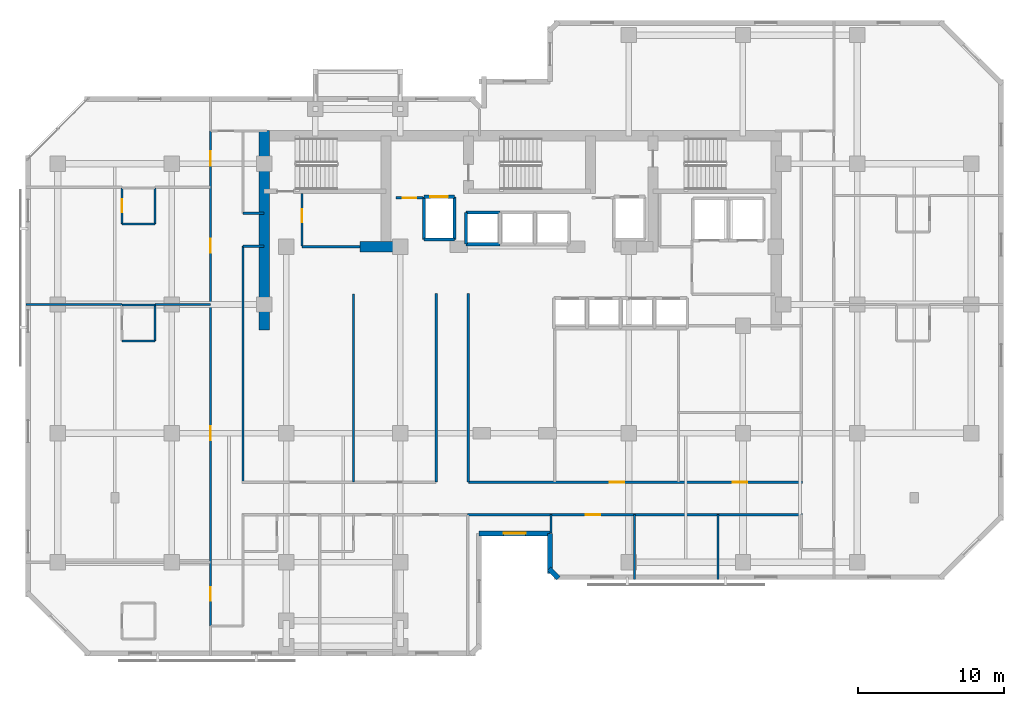
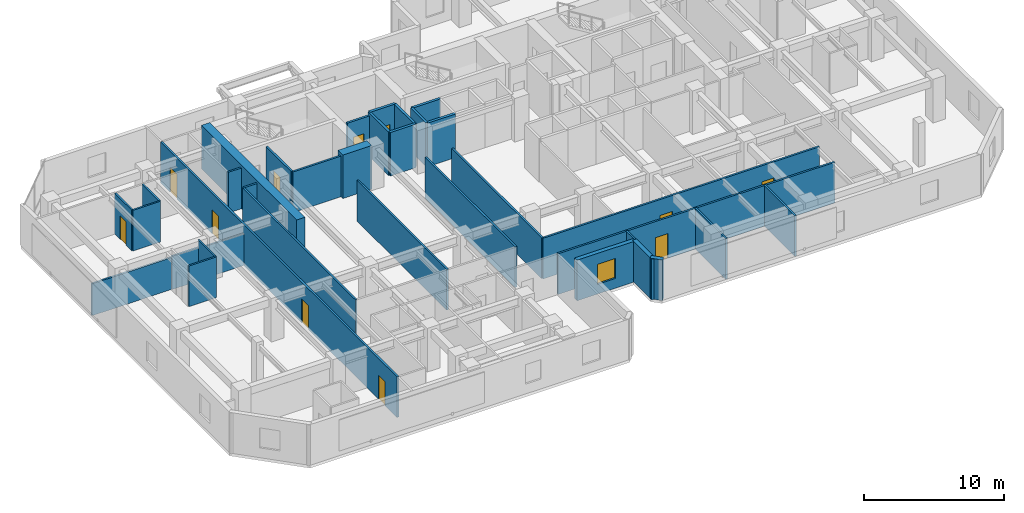
# One storey, part 5 of 10: 35 walls, 11 doors, 1 window, 12 openings.
"""IFC4 building model written with IfcOpenShell, lengths in metres."""

from ifc_helpers import new_model, si_unit, direction, frame, frame_2d, origin, place, context, subcontext, project, spatial, rectangle, extrude, material, layer, layer_set, type_object, element, fill, save


model = new_model("IFC4")

# Units and contexts
model_context = context("Model", 3, precision=1e-05, world=origin(), true_north=direction((0.0, 1.0)))
body_context = subcontext(model_context, "Body", "Model", "MODEL_VIEW")
ifc_project = project(units=[si_unit("LENGTHUNIT", "METRE"), si_unit("AREAUNIT", "SQUARE_METRE"), si_unit("VOLUMEUNIT", "CUBIC_METRE"), si_unit("PLANEANGLEUNIT", "RADIAN"), si_unit("MASSUNIT", "GRAM", prefix="KILO")], contexts=[model_context])

# Site, building, storey
site_placement = place(None, origin())
site = spatial("IfcSite", under=ifc_project, at=site_placement, CompositionType="ELEMENT")
building_placement = place(site_placement, origin())
building = spatial("IfcBuilding", under=site, at=building_placement, Name="Kestravale Grand Hotel", CompositionType="ELEMENT")
storey_placement = place(building_placement, frame((0.0, 0.0, 142.199951171875)))
storey = spatial("IfcBuildingStorey", under=building, at=storey_placement, Name="L35", CompositionType="ELEMENT", Elevation=142.199951171875)

# Walls
ifc_material_1 = material(Name="Concrete f'c 60 MPa", Category="concrete")
ifc_layer_1 = layer(ifc_material_1, 0.699951171875)
ifc_layer_set_1 = layer_set([ifc_layer_1], Name="EW-CORE-700")
wall_type_1 = type_object("IfcWallType", Name="EW-CORE-700", PredefinedType="SHEAR", material=ifc_layer_set_1)
wall_1_placement = place(storey_placement, frame((21.89990234375, 27.050048828125, 0.0), z_axis=(0.0, 0.0, 1.0), x_axis=(0.0, 1.0, 0.0)))
element("IfcWall", 1, at=wall_1_placement, inside=storey, type_object=wall_type_1, Name="L35 core shear wall W1", PredefinedType="SHEAR", context=body_context, shape_type="SweptSolid", body=[
    extrude(rectangle(XDim=13.619873046875, YDim=0.699951171875, at=frame_2d((6.81005859375, 0.0))), origin(), (0.0, 0.0, 1.0), 3.800048828125),
])
wall_2_placement = place(storey_placement, frame((28.449951171875, 32.75, 0.0), z_axis=(0.0, 0.0, 1.0), x_axis=(1.0, 0.0, 0.0)))
element("IfcWall", 2, at=wall_2_placement, inside=storey, type_object=wall_type_1, Name="L35 core shear wall S1", PredefinedType="SHEAR", context=body_context, shape_type="SweptSolid", body=[
    extrude(rectangle(XDim=2.400146484375, YDim=0.699951171875, at=frame_2d((1.2001953125, 0.0))), origin(), (0.0, 0.0, 1.0), 3.800048828125),
])

# Wall, opening, window
ifc_material_2 = material(Name="Precast concrete f'c 45 MPa", Category="concrete")
ifc_layer_2 = layer(ifc_material_2, 0.340087890625)
ifc_layer_set_2 = layer_set([ifc_layer_2], Name="EW-PREC-340")
wall_type_2 = type_object("IfcWallType", Name="EW-PREC-340", PredefinedType="SOLIDWALL", material=ifc_layer_set_2)
wall_3_placement = place(storey_placement, frame((36.580078125, 13.169921875, 0.0), z_axis=(0.0, 0.0, 1.0), x_axis=(1.0, 0.0, 0.0)))
wall_3 = element("IfcWall", 3, at=wall_3_placement, inside=storey, type_object=wall_type_2, Name="L35 fluted precast facade wall 4", PredefinedType="SOLIDWALL", context=body_context, shape_type="SweptSolid", body=[
    extrude(rectangle(XDim=4.83984375, YDim=0.340087890625, at=frame_2d((2.419921875, 0.0))), origin(), (0.0, 0.0, 1.0), 3.550048828125),
])
opening_1_placement = place(wall_3_placement, frame((1.669921875, 0.0, 0.85009765625)))
opening_1 = element("IfcOpeningElement", 4, at=opening_1_placement, cuts=wall_3, Name="Opening W-GUEST-1500", PredefinedType="OPENING", context=body_context, shape_type="SweptSolid", body=[
    extrude(rectangle(XDim=1.5, YDim=1.75, at=frame_2d((0.75, 0.875))), frame((0.0, 0.179931640625, 0.0), z_axis=(0.0, -1.0, 0.0), x_axis=(1.0, 0.0, 0.0)), (0.0, 0.0, 1.0), 0.360107421875),
])
ifc_material_3 = material(Name="Insulated low-E double glazing in aluminium frame", Category="aluminium")
window_type = type_object("IfcWindowType", Name="W-GUEST-1500", PartitioningType="SINGLE_PANEL", PredefinedType="WINDOW", material=ifc_material_3)
window_placement = place(opening_1_placement, origin())
window = element("IfcWindow", 5, at=window_placement, inside=storey, type_object=window_type, Name="L35 exterior window 4.1", OverallHeight=1.75, OverallWidth=1.5, PartitioningType="SINGLE_PANEL", PredefinedType="WINDOW", context=body_context, shape_type="SweptSolid", body=[
    extrude(rectangle(XDim=1.5, YDim=1.75, at=frame_2d((0.75, 0.875))), frame((0.0, 0.030029296875, 0.0), z_axis=(0.0, -1.0, 0.0), x_axis=(1.0, 0.0, 0.0)), (0.0, 0.0, 1.0), 0.06005859375),
])
fill(opening_1, window)

# Walls
wall_4_placement = place(storey_placement, frame((41.419921875, 13.169921875, 0.0), z_axis=(0.0, 0.0, 1.0), x_axis=(0.0, -1.0, 0.0)))
element("IfcWall", 6, at=wall_4_placement, inside=storey, type_object=wall_type_2, Name="L35 fluted precast facade wall 5", PredefinedType="SOLIDWALL", context=body_context, shape_type="SweptSolid", body=[
    extrude(rectangle(XDim=2.739990234375, YDim=0.340087890625, at=frame_2d((1.3701171875, 0.0))), origin(), (0.0, 0.0, 1.0), 3.550048828125),
])
wall_5_placement = place(storey_placement, frame((41.341796875, 10.74853515625, 0.0), z_axis=(0.0, 0.0, 1.0), x_axis=(0.707106781187, -0.707106781187, 0.0)))
element("IfcWall", 7, at=wall_5_placement, inside=storey, type_object=wall_type_2, Name="L35 fluted precast facade wall 6", PredefinedType="SOLIDWALL", context=body_context, shape_type="SweptSolid", body=[
    extrude(rectangle(XDim=0.9287109375, YDim=0.340087890625, at=frame_2d((0.46435546875, 0.0))), origin(), (0.0, 0.0, 1.0), 3.550048828125),
])

# Wall, opening, door
ifc_material_4 = material(Name="Acoustic fire-rated gypsum board partition", Category="other")
ifc_layer_3 = layer(ifc_material_4, 0.159912109375)
ifc_layer_set_3 = layer_set([ifc_layer_3], Name="IW-CORR-160")
wall_type_3 = type_object("IfcWallType", Name="IW-CORR-160", PredefinedType="PARTITIONING", material=ifc_layer_set_3)
wall_6_placement = place(storey_placement, frame((24.47998046875, 32.800048828125, 0.0), z_axis=(0.0, 0.0, 1.0), x_axis=(0.0, 1.0, 0.0)))
wall_6 = element("IfcWall", 8, at=wall_6_placement, inside=storey, type_object=wall_type_3, Name="L35 west core vestibule wall", PredefinedType="PARTITIONING", context=body_context, shape_type="SweptSolid", body=[
    extrude(rectangle(XDim=3.570068359375, YDim=0.159912109375, at=frame_2d((1.78515625, 0.0))), origin(), (0.0, 0.0, 1.0), 3.550048828125),
])
opening_2_placement = place(wall_6_placement, frame((1.603515625, 0.0, 0.0)))
opening_2 = element("IfcOpeningElement", 9, at=opening_2_placement, cuts=wall_6, Name="Opening D-SH-900", PredefinedType="OPENING", context=body_context, shape_type="SweptSolid", body=[
    extrude(rectangle(XDim=0.89990234375, YDim=2.10009765625, at=frame_2d((0.449951171875, 1.050048828125))), frame((0.0, 0.08984375, 0.0), z_axis=(0.0, -1.0, 0.0), x_axis=(1.0, 0.0, 0.0)), (0.0, 0.0, 1.0), 0.179931640625),
])
ifc_material_5 = material(Name="Galvanised 90-minute shaft and service fire door", Category="steel")
door_type_1 = type_object("IfcDoorType", Name="D-SH-900", OperationType="NOTDEFINED", PredefinedType="DOOR", material=ifc_material_5)
door_1_placement = place(opening_2_placement, origin())
door_1 = element("IfcDoor", 10, at=door_1_placement, inside=storey, type_object=door_type_1, Name="D-L35-HK", OperationType="SINGLE_SWING_RIGHT", OverallHeight=2.10009765625, OverallWidth=0.89990234375, PredefinedType="DOOR", context=body_context, shape_type="SweptSolid", body=[
    extrude(rectangle(XDim=0.89990234375, YDim=2.10009765625, at=frame_2d((0.449951171875, 1.050048828125))), frame((0.0, 0.02490234375, 0.0), z_axis=(0.0, -1.0, 0.0), x_axis=(1.0, 0.0, 0.0)), (0.0, 0.0, 1.0), 0.050048828125),
])
fill(opening_2, door_1)

# Wall
wall_7_placement = place(storey_placement, frame((24.47998046875, 32.75, 0.0), z_axis=(0.0, 0.0, 1.0), x_axis=(1.0, 0.0, 0.0)))
element("IfcWall", 11, at=wall_7_placement, inside=storey, type_object=wall_type_3, Name="W-L35-CWS", PredefinedType="PARTITIONING", context=body_context, shape_type="SweptSolid", body=[
    extrude(rectangle(XDim=3.969970703125, YDim=0.159912109375, at=frame_2d((1.98486328125, 0.0))), origin(), (0.0, 0.0, 1.0), 3.550048828125),
])

# Wall, openings, doors
wall_8_placement = place(storey_placement, frame((35.85009765625, 16.659912109375, 0.0), z_axis=(0.0, 0.0, 1.0), x_axis=(1.0, 0.0, 0.0)))
wall_8 = element("IfcWall", 12, at=wall_8_placement, inside=storey, type_object=wall_type_3, Name="W-L35-CE-N", PredefinedType="PARTITIONING", context=body_context, shape_type="SweptSolid", body=[
    extrude(rectangle(XDim=22.7998046875, YDim=0.159912109375, at=frame_2d((11.39990234375, 0.0))), origin(), (0.0, 0.0, 1.0), 3.550048828125),
])
opening_3_placement = place(wall_8_placement, frame((9.64990234375, 0.0, 0.0)))
opening_3 = element("IfcOpeningElement", 13, at=opening_3_placement, cuts=wall_8, Name="Opening D-GUEST-1000", PredefinedType="OPENING", context=body_context, shape_type="SweptSolid", body=[
    extrude(rectangle(XDim=1.0, YDim=2.14990234375, at=frame_2d((0.5, 1.074951171875))), frame((0.0, 0.08984375, 0.0), z_axis=(0.0, -1.0, 0.0), x_axis=(1.0, 0.0, 0.0)), (0.0, 0.0, 1.0), 0.179931640625),
])
opening_4_placement = place(wall_8_placement, frame((18.050048828125, 0.0, 0.0)))
opening_4 = element("IfcOpeningElement", 14, at=opening_4_placement, cuts=wall_8, Name="Opening D-GUEST-1000", PredefinedType="OPENING", context=body_context, shape_type="SweptSolid", body=[
    extrude(rectangle(XDim=1.0, YDim=2.14990234375, at=frame_2d((0.5, 1.074951171875))), frame((0.0, 0.08984375, 0.0), z_axis=(0.0, -1.0, 0.0), x_axis=(1.0, 0.0, 0.0)), (0.0, 0.0, 1.0), 0.179931640625),
])
ifc_material_6 = material(Name="Accessible walnut veneer hotel entrance fire door", Category="wood")
door_type_2 = type_object("IfcDoorType", Name="D-GUEST-1000", OperationType="NOTDEFINED", PredefinedType="DOOR", material=ifc_material_6)
door_2_placement = place(opening_3_placement, origin())
door_2 = element("IfcDoor", 15, at=door_2_placement, inside=storey, type_object=door_type_2, Name="D-L35-RECL-E1", OperationType="SINGLE_SWING_RIGHT", OverallHeight=2.14990234375, OverallWidth=1.0, PredefinedType="DOOR", context=body_context, shape_type="SweptSolid", body=[
    extrude(rectangle(XDim=1.0, YDim=2.14990234375, at=frame_2d((0.5, 1.074951171875))), frame((0.0, 0.02490234375, 0.0), z_axis=(0.0, -1.0, 0.0), x_axis=(1.0, 0.0, 0.0)), (0.0, 0.0, 1.0), 0.050048828125),
])
fill(opening_3, door_2)
door_3_placement = place(opening_4_placement, origin())
door_3 = element("IfcDoor", 16, at=door_3_placement, inside=storey, type_object=door_type_2, Name="D-L35-RECL-E2", OperationType="SINGLE_SWING_LEFT", OverallHeight=2.14990234375, OverallWidth=1.0, PredefinedType="DOOR", context=body_context, shape_type="SweptSolid", body=[
    extrude(rectangle(XDim=1.0, YDim=2.14990234375, at=frame_2d((0.5, 1.074951171875))), frame((0.0, 0.02490234375, 0.0), z_axis=(0.0, -1.0, 0.0), x_axis=(1.0, 0.0, 0.0)), (0.0, 0.0, 1.0), 0.050048828125),
])
fill(opening_4, door_3)

# Walls
for number, where, z_axis, x_axis, name in (
    (17, (33.64990234375, 16.659912109375, 0.0), (0.0, 0.0, 1.0), (0.0, 1.0, 0.0), "W-L35-TRUNK-W"),
    (18, (35.85009765625, 16.659912109375, 0.0), (0.0, 0.0, 1.0), (0.0, 1.0, 0.0), "W-L35-TRUNK-E"),
):
    element("IfcWall", number, at=place(storey_placement, frame(where, z_axis=z_axis, x_axis=x_axis)), inside=storey, type_object=wall_type_3, Name=name, PredefinedType="PARTITIONING", context=body_context, shape_type="SweptSolid", body=[
        extrude(rectangle(XDim=12.89013671875, YDim=0.159912109375, at=frame_2d((6.445068359375, 0.0))), origin(), (0.0, 0.0, 1.0), 3.550048828125),
    ])

# Wall, opening, door
wall_9_placement = place(storey_placement, frame((35.800048828125, 14.43994140625, 0.0), z_axis=(0.0, 0.0, 1.0), x_axis=(1.0, 0.0, 0.0)))
wall_9 = element("IfcWall", 19, at=wall_9_placement, inside=storey, type_object=wall_type_3, Name="W-L35-CE-S", PredefinedType="PARTITIONING", context=body_context, shape_type="SweptSolid", body=[
    extrude(rectangle(XDim=22.849853515625, YDim=0.159912109375, at=frame_2d((11.4248046875, 0.0))), origin(), (0.0, 0.0, 1.0), 3.550048828125),
])
opening_5_placement = place(wall_9_placement, frame((8.04638671875, 0.0, 0.0)))
opening_5 = element("IfcOpeningElement", 20, at=opening_5_placement, cuts=wall_9, Name="Opening D-GUEST-1000", PredefinedType="OPENING", context=body_context, shape_type="SweptSolid", body=[
    extrude(rectangle(XDim=1.0, YDim=2.14990234375, at=frame_2d((0.5, 1.074951171875))), frame((0.0, 0.08984375, 0.0), z_axis=(0.0, -1.0, 0.0), x_axis=(1.0, 0.0, 0.0)), (0.0, 0.0, 1.0), 0.179931640625),
])
door_4_placement = place(opening_5_placement, origin())
door_4 = element("IfcDoor", 21, at=door_4_placement, inside=storey, type_object=door_type_2, Name="D-L35-AME", OperationType="SINGLE_SWING_LEFT", OverallHeight=2.14990234375, OverallWidth=1.0, PredefinedType="DOOR", context=body_context, shape_type="SweptSolid", body=[
    extrude(rectangle(XDim=1.0, YDim=2.14990234375, at=frame_2d((0.5, 1.074951171875))), frame((0.0, 0.02490234375, 0.0), z_axis=(0.0, -1.0, 0.0), x_axis=(1.0, 0.0, 0.0)), (0.0, 0.0, 1.0), 0.050048828125),
])
fill(opening_5, door_4)

# Wall, openings, doors
wall_10_placement = place(storey_placement, frame((18.239990234375, 6.85009765625, 0.0), z_axis=(0.0, 0.0, 1.0), x_axis=(0.0, 1.0, 0.0)))
wall_10 = element("IfcWall", 22, at=wall_10_placement, inside=storey, type_object=wall_type_3, Name="W-L35-SW-W", PredefinedType="PARTITIONING", context=body_context, shape_type="SweptSolid", body=[
    extrude(rectangle(XDim=33.7998046875, YDim=0.159912109375, at=frame_2d((16.89990234375, 0.0))), origin(), (0.0, 0.0, 1.0), 3.550048828125),
])
opening_6_placement = place(wall_10_placement, frame((1.699951171875, 0.0, 0.0)))
opening_6 = element("IfcOpeningElement", 23, at=opening_6_placement, cuts=wall_10, Name="Opening D-GUEST-950", PredefinedType="OPENING", context=body_context, shape_type="SweptSolid", body=[
    extrude(rectangle(XDim=0.949951171875, YDim=2.10009765625, at=frame_2d((0.47509765625, 1.050048828125))), frame((0.0, 0.08984375, 0.0), z_axis=(0.0, -1.0, 0.0), x_axis=(1.0, 0.0, 0.0)), (0.0, 0.0, 1.0), 0.179931640625),
])
opening_7_placement = place(wall_10_placement, frame((12.675048828125, 0.0, 0.0)))
opening_7 = element("IfcOpeningElement", 24, at=opening_7_placement, cuts=wall_10, Name="Opening D-GUEST-950", PredefinedType="OPENING", context=body_context, shape_type="SweptSolid", body=[
    extrude(rectangle(XDim=0.949951171875, YDim=2.10009765625, at=frame_2d((0.47509765625, 1.050048828125))), frame((0.0, 0.08984375, 0.0), z_axis=(0.0, -1.0, 0.0), x_axis=(1.0, 0.0, 0.0)), (0.0, 0.0, 1.0), 0.179931640625),
])
opening_8_placement = place(wall_10_placement, frame((25.47509765625, 0.0, 0.0)))
opening_8 = element("IfcOpeningElement", 25, at=opening_8_placement, cuts=wall_10, Name="Opening D-GUEST-950", PredefinedType="OPENING", context=body_context, shape_type="SweptSolid", body=[
    extrude(rectangle(XDim=0.949951171875, YDim=2.10009765625, at=frame_2d((0.47509765625, 1.050048828125))), frame((0.0, 0.08984375, 0.0), z_axis=(0.0, -1.0, 0.0), x_axis=(1.0, 0.0, 0.0)), (0.0, 0.0, 1.0), 0.179931640625),
])
opening_9_placement = place(wall_10_placement, frame((31.429931640625, 0.0, 0.0)))
opening_9 = element("IfcOpeningElement", 26, at=opening_9_placement, cuts=wall_10, Name="Opening D-GUEST-1000", PredefinedType="OPENING", context=body_context, shape_type="SweptSolid", body=[
    extrude(rectangle(XDim=1.0, YDim=2.14990234375, at=frame_2d((0.5, 1.074951171875))), frame((0.0, 0.08984375, 0.0), z_axis=(0.0, -1.0, 0.0), x_axis=(1.0, 0.0, 0.0)), (0.0, 0.0, 1.0), 0.179931640625),
])
door_5_placement = place(opening_9_placement, origin())
door_5 = element("IfcDoor", 27, at=door_5_placement, inside=storey, type_object=door_type_2, Name="D-L35-AMWW", OperationType="SINGLE_SWING_RIGHT", OverallHeight=2.14990234375, OverallWidth=1.0, PredefinedType="DOOR", context=body_context, shape_type="SweptSolid", body=[
    extrude(rectangle(XDim=1.0, YDim=2.14990234375, at=frame_2d((0.5, 1.074951171875))), frame((0.0, 0.02490234375, 0.0), z_axis=(0.0, -1.0, 0.0), x_axis=(1.0, 0.0, 0.0)), (0.0, 0.0, 1.0), 0.050048828125),
])
fill(opening_9, door_5)
ifc_material_7 = material(Name="Walnut veneer hotel guestroom entrance fire door", Category="wood")
door_type_3 = type_object("IfcDoorType", Name="D-GUEST-950", OperationType="NOTDEFINED", PredefinedType="DOOR", material=ifc_material_7)
door_6_placement = place(opening_6_placement, origin())
door_6 = element("IfcDoor", 28, at=door_6_placement, inside=storey, type_object=door_type_3, Name="D-L35-U03-ENT", OperationType="SINGLE_SWING_LEFT", OverallHeight=2.10009765625, OverallWidth=0.949951171875, PredefinedType="DOOR", context=body_context, shape_type="SweptSolid", body=[
    extrude(rectangle(XDim=0.949951171875, YDim=2.10009765625, at=frame_2d((0.47509765625, 1.050048828125))), frame((0.0, 0.02490234375, 0.0), z_axis=(0.0, -1.0, 0.0), x_axis=(1.0, 0.0, 0.0)), (0.0, 0.0, 1.0), 0.050048828125),
])
fill(opening_6, door_6)
door_7_placement = place(opening_7_placement, origin())
door_7 = element("IfcDoor", 29, at=door_7_placement, inside=storey, type_object=door_type_3, Name="D-L35-U04-ENT", OperationType="SINGLE_SWING_LEFT", OverallHeight=2.10009765625, OverallWidth=0.949951171875, PredefinedType="DOOR", context=body_context, shape_type="SweptSolid", body=[
    extrude(rectangle(XDim=0.949951171875, YDim=2.10009765625, at=frame_2d((0.47509765625, 1.050048828125))), frame((0.0, 0.02490234375, 0.0), z_axis=(0.0, -1.0, 0.0), x_axis=(1.0, 0.0, 0.0)), (0.0, 0.0, 1.0), 0.050048828125),
])
fill(opening_7, door_7)
door_8_placement = place(opening_8_placement, origin())
door_8 = element("IfcDoor", 30, at=door_8_placement, inside=storey, type_object=door_type_3, Name="D-L35-U05-ENT", OperationType="SINGLE_SWING_LEFT", OverallHeight=2.10009765625, OverallWidth=0.949951171875, PredefinedType="DOOR", context=body_context, shape_type="SweptSolid", body=[
    extrude(rectangle(XDim=0.949951171875, YDim=2.10009765625, at=frame_2d((0.47509765625, 1.050048828125))), frame((0.0, 0.02490234375, 0.0), z_axis=(0.0, -1.0, 0.0), x_axis=(1.0, 0.0, 0.0)), (0.0, 0.0, 1.0), 0.050048828125),
])
fill(opening_8, door_8)

# Walls
for number, where, z_axis, x_axis, name in (
    (31, (20.4599609375, 35.02001953125, 0.0), (0.0, 0.0, 1.0), (1.0, 0.0, 0.0), "W-L35-SW-CN"),
    (32, (20.4599609375, 32.780029296875, 0.0), (0.0, 0.0, 1.0), (1.0, 0.0, 0.0), "W-L35-SW-CS"),
):
    element("IfcWall", number, at=place(storey_placement, frame(where, z_axis=z_axis, x_axis=x_axis)), inside=storey, type_object=wall_type_3, Name=name, PredefinedType="PARTITIONING", context=body_context, shape_type="SweptSolid", body=[
        extrude(rectangle(XDim=1.43994140625, YDim=0.159912109375, at=frame_2d((0.719970703125, 0.0))), origin(), (0.0, 0.0, 1.0), 3.550048828125),
    ])

# Wall, opening, door
ifc_material_8 = material(Name="Fire-rated gypsum board on steel studs with mineral wool", Category="steel")
ifc_layer_4 = layer(ifc_material_8, 0.179931640625)
ifc_layer_set_4 = layer_set([ifc_layer_4], Name="IW-FSAE-180")
wall_type_4 = type_object("IfcWallType", Name="IW-FSAE-180", PredefinedType="PARTITIONING", material=ifc_layer_set_4)
wall_11_placement = place(storey_placement, frame((30.89990234375, 36.080078125, 0.0), z_axis=(0.0, 0.0, 1.0), x_axis=(1.0, 0.0, 0.0)))
wall_11 = element("IfcWall", 33, at=wall_11_placement, inside=storey, type_object=wall_type_4, Name="L35 FSAE Lobby 1 smoke barrier", PredefinedType="PARTITIONING", context=body_context, shape_type="SweptSolid", body=[
    extrude(rectangle(XDim=1.85009765625, YDim=0.179931640625, at=frame_2d((0.925048828125, 0.0))), origin(), (0.0, 0.0, 1.0), 3.550048828125),
])
opening_10_placement = place(wall_11_placement, frame((0.47998046875, 0.0, 0.0)))
opening_10 = element("IfcOpeningElement", 34, at=opening_10_placement, cuts=wall_11, Name="Opening D-FSAE-1000", PredefinedType="OPENING", context=body_context, shape_type="SweptSolid", body=[
    extrude(rectangle(XDim=0.89990234375, YDim=2.14990234375, at=frame_2d((0.449951171875, 1.074951171875))), frame((0.0, 0.099853515625, 0.0), z_axis=(0.0, -1.0, 0.0), x_axis=(1.0, 0.0, 0.0)), (0.0, 0.0, 1.0), 0.199951171875),
])
ifc_material_9 = material(Name="Smoke-gasketed FSAE lobby fire door", Category="steel")
door_type_4 = type_object("IfcDoorType", Name="D-FSAE-1000", OperationType="NOTDEFINED", PredefinedType="DOOR", material=ifc_material_9)
door_9_placement = place(opening_10_placement, origin())
door_9 = element("IfcDoor", 35, at=door_9_placement, inside=storey, type_object=door_type_4, Name="L35 FSAE Lobby 1 fire door", OperationType="SINGLE_SWING_RIGHT", OverallHeight=2.14990234375, OverallWidth=0.89990234375, PredefinedType="DOOR", context=body_context, shape_type="SweptSolid", body=[
    extrude(rectangle(XDim=0.89990234375, YDim=2.14990234375, at=frame_2d((0.449951171875, 1.074951171875))), frame((0.0, 0.02490234375, 0.0), z_axis=(0.0, -1.0, 0.0), x_axis=(1.0, 0.0, 0.0)), (0.0, 0.0, 1.0), 0.050048828125),
])
fill(opening_10, door_9)

# Walls
ifc_material_10 = material(Name="Moisture-resistant tile-backer plumbing chase wall", Category="other")
ifc_layer_5 = layer(ifc_material_10, 0.139892578125)
ifc_layer_set_5 = layer_set([ifc_layer_5], Name="IW-PLB-140")
wall_type_5 = type_object("IfcWallType", Name="IW-PLB-140", PredefinedType="PLUMBINGWALL", material=ifc_layer_set_5)
wall_12_placement = place(storey_placement, frame((14.449951171875, 26.31005859375, 0.0), z_axis=(0.0, 0.0, 1.0), x_axis=(0.0, 1.0, 0.0)))
element("IfcWall", 36, at=wall_12_placement, inside=storey, type_object=wall_type_5, Name="W-L35-U04-BE", PredefinedType="PLUMBINGWALL", context=body_context, shape_type="SweptSolid", body=[
    extrude(rectangle(XDim=2.449951171875, YDim=0.139892578125, at=frame_2d((1.22509765625, 0.0))), origin(), (0.0, 0.0, 1.0), 3.550048828125),
])
wall_13_placement = place(storey_placement, frame((12.199951171875, 26.31005859375, 0.0), z_axis=(0.0, 0.0, 1.0), x_axis=(1.0, 0.0, 0.0)))
element("IfcWall", 37, at=wall_13_placement, inside=storey, type_object=wall_type_5, Name="W-L35-U04-BS", PredefinedType="PLUMBINGWALL", context=body_context, shape_type="SweptSolid", body=[
    extrude(rectangle(XDim=2.25, YDim=0.139892578125, at=frame_2d((1.125, 0.0))), origin(), (0.0, 0.0, 1.0), 3.550048828125),
])
wall_14_placement = place(storey_placement, frame((12.199951171875, 28.760009765625, 0.0), z_axis=(0.0, 0.0, 1.0), x_axis=(1.0, 0.0, 0.0)))
element("IfcWall", 38, at=wall_14_placement, inside=storey, type_object=wall_type_5, Name="W-L35-U04-BN", PredefinedType="PLUMBINGWALL", context=body_context, shape_type="SweptSolid", body=[
    extrude(rectangle(XDim=2.25, YDim=0.139892578125, at=frame_2d((1.125, 0.0))), origin(), (0.0, 0.0, 1.0), 2.900146484375),
])

# Wall, opening, door
wall_15_placement = place(storey_placement, frame((12.199951171875, 34.31005859375, 0.0), z_axis=(0.0, 0.0, 1.0), x_axis=(0.0, 1.0, 0.0)))
wall_15 = element("IfcWall", 39, at=wall_15_placement, inside=storey, type_object=wall_type_5, Name="W-L35-U05-BW", PredefinedType="PLUMBINGWALL", context=body_context, shape_type="SweptSolid", body=[
    extrude(rectangle(XDim=2.449951171875, YDim=0.139892578125, at=frame_2d((1.22509765625, 0.0))), origin(), (0.0, 0.0, 1.0), 3.550048828125),
])
opening_11_placement = place(wall_15_placement, frame((0.784912109375, 0.0, 0.0)))
opening_11 = element("IfcOpeningElement", 40, at=opening_11_placement, cuts=wall_15, Name="Opening D-BATH-880", PredefinedType="OPENING", context=body_context, shape_type="SweptSolid", body=[
    extrude(rectangle(XDim=0.8798828125, YDim=2.050048828125, at=frame_2d((0.43994140625, 1.02490234375))), frame((0.0, 0.079833984375, 0.0), z_axis=(0.0, -1.0, 0.0), x_axis=(1.0, 0.0, 0.0)), (0.0, 0.0, 1.0), 0.159912109375),
])
ifc_material_11 = material(Name="Moisture-sealed walnut en-suite bathroom door", Category="wood")
door_type_5 = type_object("IfcDoorType", Name="D-BATH-880", OperationType="NOTDEFINED", PredefinedType="DOOR", material=ifc_material_11)
door_10_placement = place(opening_11_placement, origin())
door_10 = element("IfcDoor", 41, at=door_10_placement, inside=storey, type_object=door_type_5, Name="D-L35-U05-BATH", OperationType="SINGLE_SWING_RIGHT", OverallHeight=2.050048828125, OverallWidth=0.8798828125, PredefinedType="DOOR", context=body_context, shape_type="SweptSolid", body=[
    extrude(rectangle(XDim=0.8798828125, YDim=2.050048828125, at=frame_2d((0.43994140625, 1.02490234375))), frame((0.0, 0.02490234375, 0.0), z_axis=(0.0, -1.0, 0.0), x_axis=(1.0, 0.0, 0.0)), (0.0, 0.0, 1.0), 0.050048828125),
])
fill(opening_11, door_10)

# Walls
wall_16_placement = place(storey_placement, frame((14.449951171875, 34.31005859375, 0.0), z_axis=(0.0, 0.0, 1.0), x_axis=(0.0, 1.0, 0.0)))
element("IfcWall", 42, at=wall_16_placement, inside=storey, type_object=wall_type_5, Name="W-L35-U05-BE", PredefinedType="PLUMBINGWALL", context=body_context, shape_type="SweptSolid", body=[
    extrude(rectangle(XDim=2.449951171875, YDim=0.139892578125, at=frame_2d((1.22509765625, 0.0))), origin(), (0.0, 0.0, 1.0), 3.550048828125),
])
wall_17_placement = place(storey_placement, frame((12.199951171875, 34.31005859375, 0.0), z_axis=(0.0, 0.0, 1.0), x_axis=(1.0, 0.0, 0.0)))
element("IfcWall", 43, at=wall_17_placement, inside=storey, type_object=wall_type_5, Name="W-L35-U05-BS", PredefinedType="PLUMBINGWALL", context=body_context, shape_type="SweptSolid", body=[
    extrude(rectangle(XDim=2.25, YDim=0.139892578125, at=frame_2d((1.125, 0.0))), origin(), (0.0, 0.0, 1.0), 3.550048828125),
])
ifc_material_12 = material(Name="Concrete f'c 45 MPa", Category="concrete")
ifc_layer_6 = layer(ifc_material_12, 0.199951171875)
ifc_layer_set_6 = layer_set([ifc_layer_6], Name="IW-SHAFT-200")
wall_type_6 = type_object("IfcWallType", Name="IW-SHAFT-200", PredefinedType="SHEAR", material=ifc_layer_set_6)
wall_18_placement = place(storey_placement, frame((35.679931640625, 32.919921875, 0.0), z_axis=(0.0, 0.0, 1.0), x_axis=(0.0, 1.0, 0.0)))
element("IfcWall", 44, at=wall_18_placement, inside=storey, type_object=wall_type_6, Name="L35 PL-X1 west shaft wall", PredefinedType="SHEAR", context=body_context, shape_type="SweptSolid", body=[
    extrude(rectangle(XDim=2.16015625, YDim=0.199951171875, at=frame_2d((1.080078125, 0.0))), origin(), (0.0, 0.0, 1.0), 3.800048828125),
])
for number, where, z_axis, x_axis, name in (
    (45, (32.804931640625, 33.2451171875, 0.0), (0.0, 0.0, 1.0), (0.0, 1.0, 0.0), "L35 FL-1 west shaft wall"),
    (46, (34.89501953125, 33.2451171875, 0.0), (0.0, 0.0, 1.0), (0.0, 1.0, 0.0), "L35 FL-1 east shaft wall"),
):
    element("IfcWall", number, at=place(storey_placement, frame(where, z_axis=z_axis, x_axis=x_axis)), inside=storey, type_object=wall_type_6, Name=name, PredefinedType="SHEAR", context=body_context, shape_type="SweptSolid", body=[
        extrude(rectangle(XDim=2.909912109375, YDim=0.199951171875, at=frame_2d((1.455078125, 0.0))), origin(), (0.0, 0.0, 1.0), 3.800048828125),
    ])
ifc_material_13 = material(Name="Concrete f'c 45 MPa", Category="concrete")
ifc_layer_7 = layer(ifc_material_13, 0.219970703125)
ifc_layer_set_7 = layer_set([ifc_layer_7], Name="IW-SHAFT-220")
wall_type_7 = type_object("IfcWallType", Name="IW-SHAFT-220", PredefinedType="SHEAR", material=ifc_layer_set_7)
for number, where, z_axis, x_axis, name in (
    (47, (35.679931640625, 35.080078125, 0.0), (0.0, 0.0, 1.0), (1.0, 0.0, 0.0), "L35 PL-X1 north shaft wall"),
    (48, (35.679931640625, 32.919921875, 0.0), (0.0, 0.0, 1.0), (1.0, 0.0, 0.0), "L35 PL-X1 south shaft wall"),
):
    element("IfcWall", number, at=place(storey_placement, frame(where, z_axis=z_axis, x_axis=x_axis)), inside=storey, type_object=wall_type_7, Name=name, PredefinedType="SHEAR", context=body_context, shape_type="SweptSolid", body=[
        extrude(rectangle(XDim=2.320068359375, YDim=0.219970703125, at=frame_2d((1.16015625, 0.0))), origin(), (0.0, 0.0, 1.0), 3.800048828125),
    ])

# Wall, opening, door
wall_19_placement = place(storey_placement, frame((32.804931640625, 36.155029296875, 0.0), z_axis=(0.0, 0.0, 1.0), x_axis=(1.0, 0.0, 0.0)))
wall_19 = element("IfcWall", 49, at=wall_19_placement, inside=storey, type_object=wall_type_7, Name="L35 FL-1 north shaft wall", PredefinedType="SHEAR", context=body_context, shape_type="SweptSolid", body=[
    extrude(rectangle(XDim=2.090087890625, YDim=0.219970703125, at=frame_2d((1.044921875, 0.0))), origin(), (0.0, 0.0, 1.0), 3.800048828125),
])
opening_12_placement = place(wall_19_placement, frame((0.445068359375, 0.0, 0.0)))
opening_12 = element("IfcOpeningElement", 50, at=opening_12_placement, cuts=wall_19, Name="Opening LD-FSAE-1200", PredefinedType="OPENING", context=body_context, shape_type="SweptSolid", body=[
    extrude(rectangle(XDim=1.199951171875, YDim=2.14990234375, at=frame_2d((0.60009765625, 1.074951171875))), frame((0.0, 0.119873046875, 0.0), z_axis=(0.0, -1.0, 0.0), x_axis=(1.0, 0.0, 0.0)), (0.0, 0.0, 1.0), 0.239990234375),
])
ifc_material_14 = material(Name="Stainless fire-service sliding elevator landing door", Category="steel")
door_type_6 = type_object("IfcDoorType", Name="LD-FSAE-1200", OperationType="NOTDEFINED", PredefinedType="DOOR", material=ifc_material_14)
door_11_placement = place(opening_12_placement, origin())
door_11 = element("IfcDoor", 51, at=door_11_placement, inside=storey, type_object=door_type_6, Name="L35 FL-1 elevator landing sliding door", OperationType="DOUBLE_DOOR_SLIDING", OverallHeight=2.14990234375, OverallWidth=1.199951171875, PredefinedType="DOOR", context=body_context, shape_type="SweptSolid", body=[
    extrude(rectangle(XDim=1.199951171875, YDim=2.14990234375, at=frame_2d((0.60009765625, 1.074951171875))), frame((0.0, 0.02490234375, 0.0), z_axis=(0.0, -1.0, 0.0), x_axis=(1.0, 0.0, 0.0)), (0.0, 0.0, 1.0), 0.050048828125),
])
fill(opening_12, door_11)

# Walls
wall_20_placement = place(storey_placement, frame((32.804931640625, 33.2451171875, 0.0), z_axis=(0.0, 0.0, 1.0), x_axis=(1.0, 0.0, 0.0)))
element("IfcWall", 52, at=wall_20_placement, inside=storey, type_object=wall_type_7, Name="L35 FL-1 south shaft wall", PredefinedType="SHEAR", context=body_context, shape_type="SweptSolid", body=[
    extrude(rectangle(XDim=2.090087890625, YDim=0.219970703125, at=frame_2d((1.044921875, 0.0))), origin(), (0.0, 0.0, 1.0), 3.800048828125),
])
ifc_material_15 = material(Name="Double-stud STC 52 acoustic demising partition", Category="other")
ifc_layer_8 = layer(ifc_material_15, 0.14990234375)
ifc_layer_set_8 = layer_set([ifc_layer_8], Name="IW-UNIT-150")
wall_type_8 = type_object("IfcWallType", Name="IW-UNIT-150", PredefinedType="PARTITIONING", material=ifc_layer_set_8)
wall_21_placement = place(storey_placement, frame((20.4599609375, 16.659912109375, 0.0), z_axis=(0.0, 0.0, 1.0), x_axis=(0.0, 1.0, 0.0)))
element("IfcWall", 53, at=wall_21_placement, inside=storey, type_object=wall_type_8, Name="W-L35-RCLW-W", PredefinedType="PARTITIONING", context=body_context, shape_type="SweptSolid", body=[
    extrude(rectangle(XDim=16.14013671875, YDim=0.14990234375, at=frame_2d((8.070068359375, 0.0))), origin(), (0.0, 0.0, 1.0), 3.550048828125),
])
wall_22_placement = place(storey_placement, frame((28.0, 16.659912109375, 0.0), z_axis=(0.0, 0.0, 1.0), x_axis=(0.0, 1.0, 0.0)))
element("IfcWall", 54, at=wall_22_placement, inside=storey, type_object=wall_type_8, Name="W-L35-RCLW-M", PredefinedType="PARTITIONING", context=body_context, shape_type="SweptSolid", body=[
    extrude(rectangle(XDim=12.840087890625, YDim=0.14990234375, at=frame_2d((6.419921875, 0.0))), origin(), (0.0, 0.0, 1.0), 3.550048828125),
])
wall_23_placement = place(storey_placement, frame((41.49755859375, 13.18994140625, 0.0), z_axis=(0.0, 0.0, 1.0), x_axis=(0.0, 1.0, 0.0)))
element("IfcWall", 55, at=wall_23_placement, inside=storey, type_object=wall_type_8, Name="W-L35-ES-1", PredefinedType="PARTITIONING", context=body_context, shape_type="SweptSolid", body=[
    extrude(rectangle(XDim=1.25, YDim=0.14990234375, at=frame_2d((0.625, 0.0))), origin(), (0.0, 0.0, 1.0), 3.550048828125),
])
for number, where, z_axis, x_axis, name in (
    (56, (47.195068359375, 10.02001953125, 0.0), (0.0, 0.0, 1.0), (0.0, 1.0, 0.0), "W-L35-ES-2"),
    (57, (52.892578125, 10.02001953125, 0.0), (0.0, 0.0, 1.0), (0.0, 1.0, 0.0), "W-L35-ES-3"),
):
    element("IfcWall", number, at=place(storey_placement, frame(where, z_axis=z_axis, x_axis=x_axis)), inside=storey, type_object=wall_type_8, Name=name, PredefinedType="PARTITIONING", context=body_context, shape_type="SweptSolid", body=[
        extrude(rectangle(XDim=4.419921875, YDim=0.14990234375, at=frame_2d((2.2099609375, 0.0))), origin(), (0.0, 0.0, 1.0), 3.550048828125),
    ])
wall_24_placement = place(storey_placement, frame((5.6201171875, 28.800048828125, 0.0), z_axis=(0.0, 0.0, 1.0), x_axis=(1.0, 0.0, 0.0)))
element("IfcWall", 58, at=wall_24_placement, inside=storey, type_object=wall_type_8, Name="W-L35-WW-2", PredefinedType="PARTITIONING", context=body_context, shape_type="SweptSolid", body=[
    extrude(rectangle(XDim=6.579833984375, YDim=0.14990234375, at=frame_2d((3.2900390625, 0.0))), origin(), (0.0, 0.0, 1.0), 2.778076171875),
])
wall_25_placement = place(storey_placement, frame((14.449951171875, 28.800048828125, 0.0), z_axis=(0.0, 0.0, 1.0), x_axis=(1.0, 0.0, 0.0)))
element("IfcWall", 59, at=wall_25_placement, inside=storey, type_object=wall_type_8, Name="W-L35-WW-2", PredefinedType="PARTITIONING", context=body_context, shape_type="SweptSolid", body=[
    extrude(rectangle(XDim=3.7900390625, YDim=0.14990234375, at=frame_2d((1.89501953125, 0.0))), origin(), (0.0, 0.0, 1.0), 2.778076171875),
])

save(model, "model.ifc")
